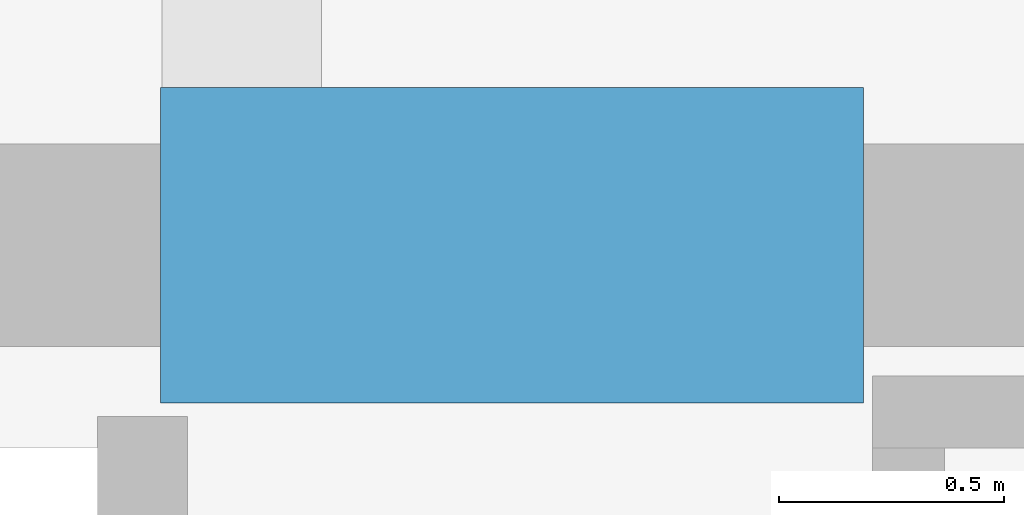
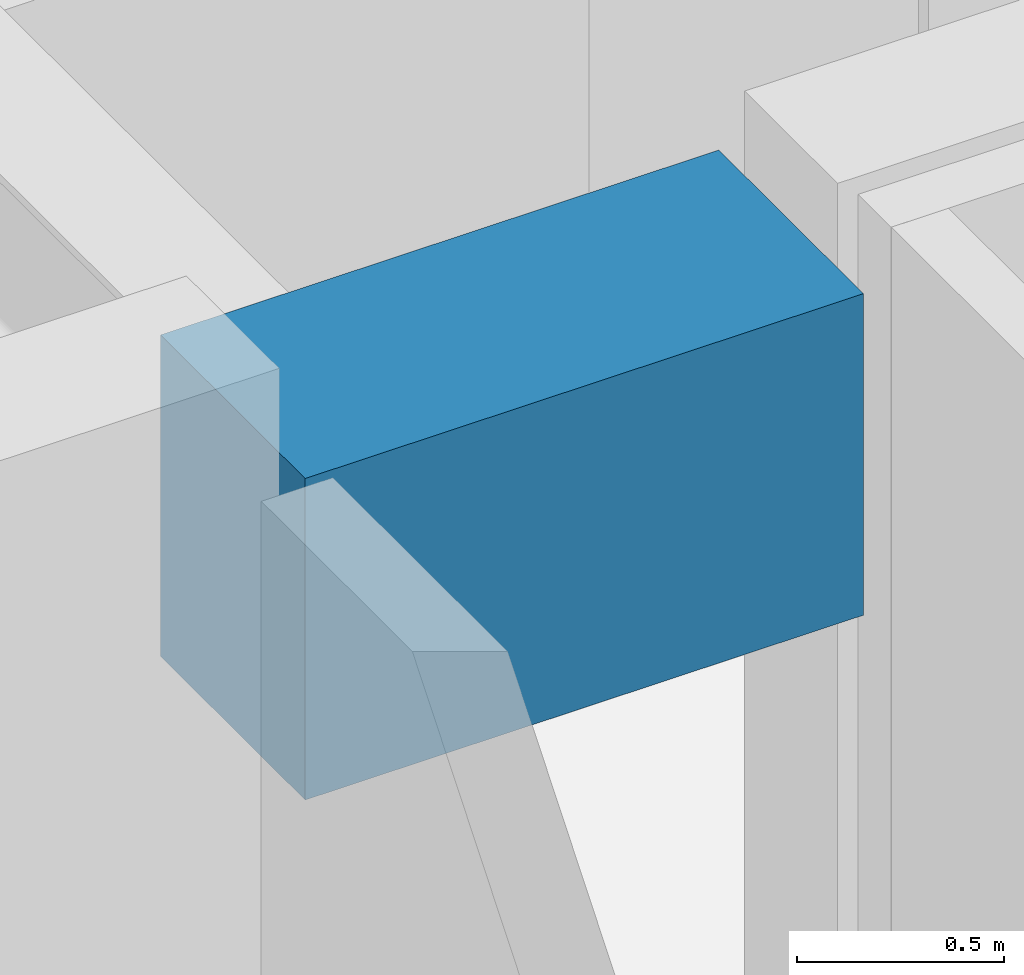
# One storey, part 10 of 31: 1 beam.
"""IFC4 building model written with IfcOpenShell, lengths in metres."""

from ifc_helpers import new_model, si_unit, direction, frame, origin, origin_2d, place, context, subcontext, project, spatial, rectangle, extrude, material, material_profile, profile_set, type_object, element, save


model = new_model("IFC4")

# Units and contexts
model_context = context("Model", 3, precision=1e-05, world=origin(), true_north=direction((0.0, 1.0)))
body_context = subcontext(model_context, "Body", "Model", "MODEL_VIEW")
ifc_project = project(units=[si_unit("LENGTHUNIT", "METRE"), si_unit("AREAUNIT", "SQUARE_METRE"), si_unit("VOLUMEUNIT", "CUBIC_METRE"), si_unit("PLANEANGLEUNIT", "RADIAN"), si_unit("MASSUNIT", "GRAM", prefix="KILO")], contexts=[model_context])

# Site, building, storey
site_placement = place(None, origin())
site = spatial("IfcSite", under=ifc_project, at=site_placement, CompositionType="ELEMENT")
building_placement = place(site_placement, origin())
building = spatial("IfcBuilding", under=site, at=building_placement, Name="Kolvaren Belvedere", CompositionType="ELEMENT")
storey_placement = place(building_placement, frame((0.0, 0.0, 251.39990234375)))
storey = spatial("IfcBuildingStorey", under=building, at=storey_placement, Name="L73", CompositionType="ELEMENT", Elevation=251.39990234375)

# Beam
ifc_material = material(Name="Concrete C60/75", Category="concrete")
ifc_material_profile = material_profile(ifc_material, rectangle(XDim=0.699951171875, YDim=0.949951171875, at=origin_2d()), Name="RC 700X950")
ifc_profile_set = profile_set([ifc_material_profile], Name="Concrete C60/75")
beam_type = type_object("IfcBeamType", Name="BM-LINT-950", PredefinedType="LINTEL", material=ifc_profile_set)
beam_placement = place(storey_placement, frame((4.419921875, 9.89990234375, 2.775146484375), z_axis=(1.0, 0.0, 0.0), x_axis=(0.0, 1.0, 0.0)))
element("IfcBeam", 1, at=beam_placement, inside=storey, type_object=beam_type, Name="L73 North Core Coupling Lintel", PredefinedType="LINTEL", context=body_context, shape_type="SweptSolid", body=[
    extrude(rectangle(XDim=0.699951171875, YDim=0.949951171875, at=origin_2d()), origin(), (0.0, 0.0, 1.0), 1.56005859375),
])

save(model, "model.ifc")
